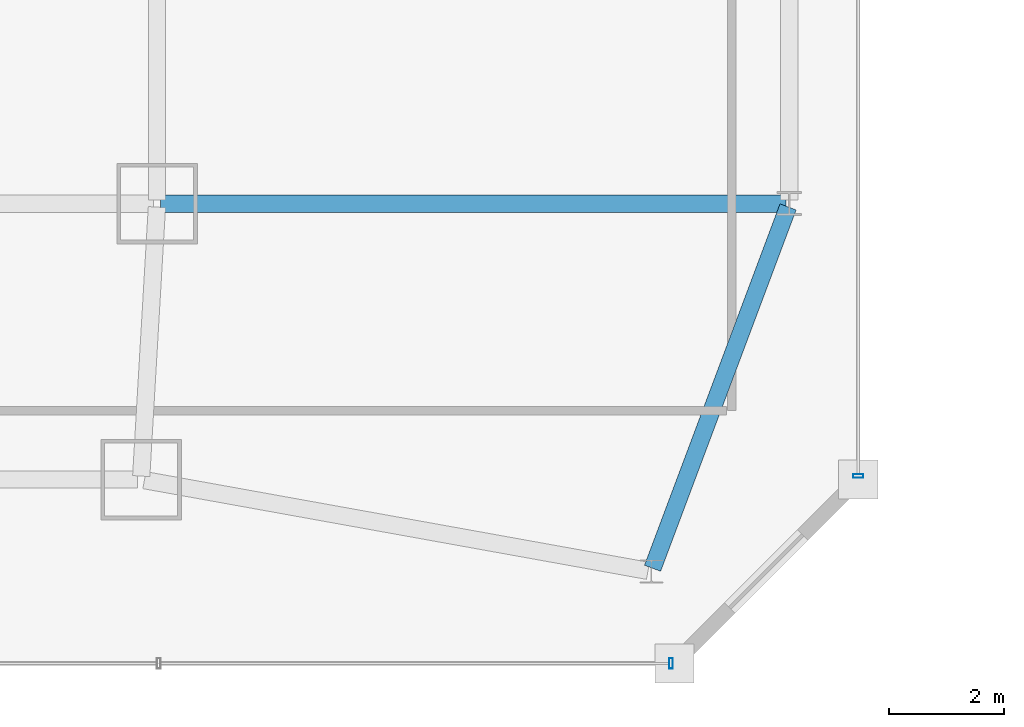
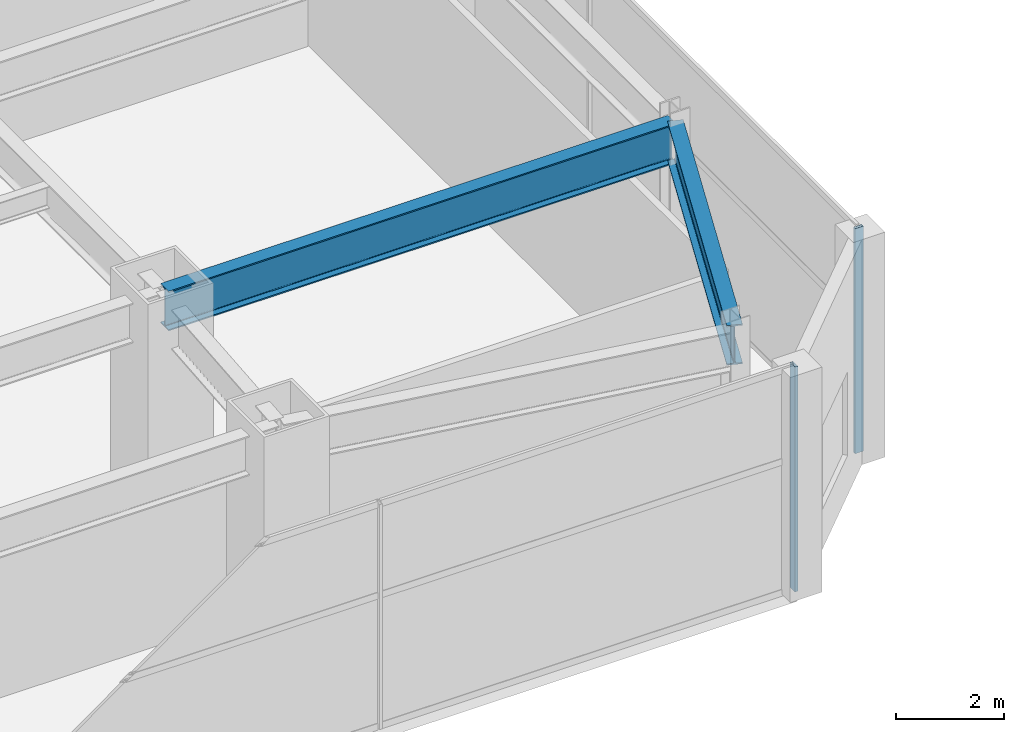
# One storey, part 17 of 51: 2 beams, 2 members, 2 elements without a shape of their own.
"""IFC4 building model written with IfcOpenShell, lengths in metres."""

from ifc_helpers import new_model, si_unit, direction, frame, origin, origin_2d, place, context, subcontext, project, spatial, hollow_rectangle, i_section, extrude, material, material_profile, profile_set, type_object, element, aggregate, save


model = new_model("IFC4")

# Units and contexts
model_context = context("Model", 3, precision=1e-05, world=origin(), true_north=direction((0.0, 1.0)))
body_context = subcontext(model_context, "Body", "Model", "MODEL_VIEW")
ifc_project = project(units=[si_unit("LENGTHUNIT", "METRE"), si_unit("AREAUNIT", "SQUARE_METRE"), si_unit("VOLUMEUNIT", "CUBIC_METRE"), si_unit("PLANEANGLEUNIT", "RADIAN"), si_unit("MASSUNIT", "GRAM", prefix="KILO")], contexts=[model_context])

# Site, building, storey
site_placement = place(None, origin())
site = spatial("IfcSite", under=ifc_project, at=site_placement, CompositionType="ELEMENT")
building_placement = place(site_placement, origin())
building = spatial("IfcBuilding", under=site, at=building_placement, Name="Saevonmaru Cultural Tower", CompositionType="ELEMENT")
storey_placement = place(building_placement, frame((0.0, 0.0, 6.0)))
storey = spatial("IfcBuildingStorey", under=building, at=storey_placement, Name="L01", CompositionType="ELEMENT", Elevation=6.0)

# Beams
ifc_material_1 = material(Name="Steel SM420", Category="steel")
ifc_material_profile_1 = material_profile(ifc_material_1, i_section(OverallWidth=0.300048828125, OverallDepth=0.89990234375, WebThickness=0.01611328125, FlangeThickness=0.028076171875, FilletRadius=0.028076171875, at=origin_2d()), Name="H-900x300x16x28")
ifc_profile_set_1 = profile_set([ifc_material_profile_1], Name="Steel SM420")
beam_type = type_object("IfcBeamType", Name="BM-G-H900", PredefinedType="BEAM", material=ifc_profile_set_1)
beam_1_placement = place(storey_placement, frame((47.860107421875, 8.0, 4.64990234375), z_axis=(1.0, 0.0, 0.0), x_axis=(0.0, 1.0, 0.0)))
element("IfcBeam", 1, at=beam_1_placement, inside=storey, type_object=beam_type, Name="BM-POD-OE-1-L01", PredefinedType="BEAM", context=body_context, shape_type="SweptSolid", body=[
    extrude(i_section(OverallWidth=0.300048828125, OverallDepth=0.89990234375, WebThickness=0.01611328125, FlangeThickness=0.028076171875, FilletRadius=0.028076171875, at=origin_2d()), origin(), (0.0, 0.0, 1.0), 10.8798828125),
])
beam_2_placement = place(storey_placement, frame((56.421142578125, 1.65625, 4.64990234375), z_axis=(0.351099535502, 0.936338142003, 0.0), x_axis=(-0.936338142003, 0.351099535502, 0.0)))
element("IfcBeam", 2, at=beam_2_placement, inside=storey, type_object=beam_type, Name="BM-POD-PS-4-L01", PredefinedType="BEAM", context=body_context, shape_type="SweptSolid", body=[
    extrude(i_section(OverallWidth=0.300048828125, OverallDepth=0.89990234375, WebThickness=0.01611328125, FlangeThickness=0.028076171875, FilletRadius=0.028076171875, at=origin_2d()), origin(), (0.0, 0.0, 1.0), 6.715087890625),
])

# Curtain wall, member
ifc_material_2 = material(Name="Satin Bronze Anodised Aluminium", Category="aluminium")
curtain_wall_type = type_object("IfcCurtainWallType", Name="CW-POD-GLZ", PredefinedType="NOTDEFINED", material=ifc_material_2)
curtain_wall_1_placement = place(storey_placement, origin())
curtain_wall_1 = element("IfcCurtainWall", 3, at=curtain_wall_1_placement, inside=storey, type_object=curtain_wall_type, Name="L01 South Grand Foyer Curtain Wall", PredefinedType="NOTDEFINED")
ifc_material_profile_2 = material_profile(ifc_material_2, hollow_rectangle(XDim=0.06494140625, YDim=0.179931640625, WallThickness=0.00390625, at=origin_2d()), Name="ALU-MULL-180x65x4")
ifc_profile_set_2 = profile_set([ifc_material_profile_2], Name="Satin Bronze Anodised Aluminium")
member_type = type_object("IfcMemberType", Name="ML-CW-180x65", PredefinedType="MULLION", material=ifc_profile_set_2)
member_1_placement = place(storey_placement, frame((56.739990234375, 0.0, 0.0), z_axis=(0.0, 0.0, 1.0), x_axis=(1.0, 0.0, 0.0)))
member_1 = element("IfcMember", 4, at=member_1_placement, type_object=member_type, Name="CW-POD-S-L01 mullion 7", PredefinedType="MULLION", context=body_context, shape_type="SweptSolid", body=[
    extrude(hollow_rectangle(XDim=0.06494140625, YDim=0.179931640625, WallThickness=0.00390625, at=origin_2d()), origin(), (0.0, 0.0, 1.0), 5.10009765625),
])
aggregate(curtain_wall_1, [member_1])

curtain_wall_2_placement = place(storey_placement, origin())
curtain_wall_2 = element("IfcCurtainWall", 5, at=curtain_wall_2_placement, inside=storey, type_object=curtain_wall_type, Name="L01 Saevon Plaza Curtain Wall", PredefinedType="NOTDEFINED")
member_2_placement = place(storey_placement, frame((60.0, 3.260009765625, 0.0), z_axis=(0.0, 0.0, 1.0), x_axis=(0.0, 1.0, 0.0)))
member_2 = element("IfcMember", 6, at=member_2_placement, type_object=member_type, Name="CW-POD-E-L01 mullion 1", PredefinedType="MULLION", context=body_context, shape_type="SweptSolid", body=[
    extrude(hollow_rectangle(XDim=0.06494140625, YDim=0.179931640625, WallThickness=0.00390625, at=origin_2d()), origin(), (0.0, 0.0, 1.0), 5.10009765625),
])
aggregate(curtain_wall_2, [member_2])

save(model, "model.ifc")
